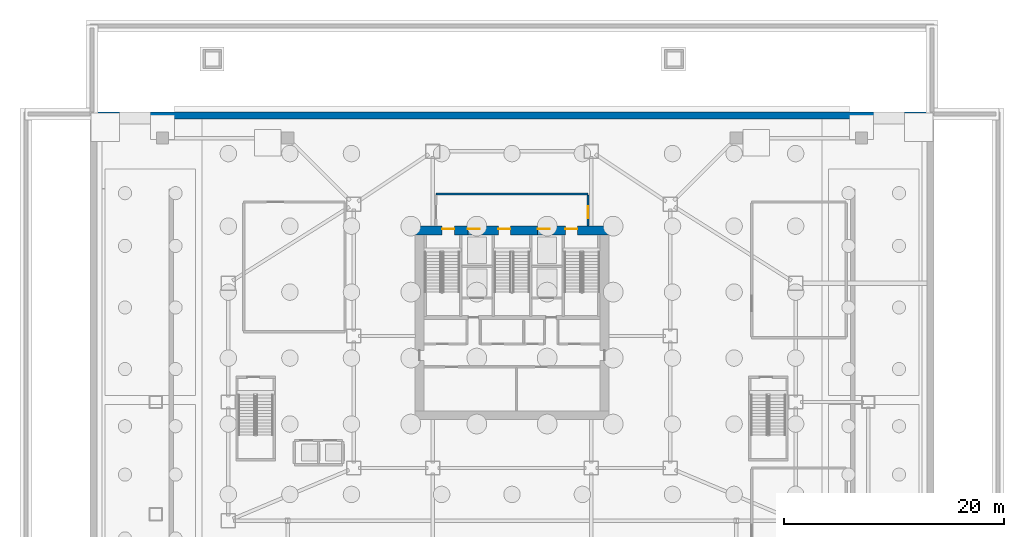
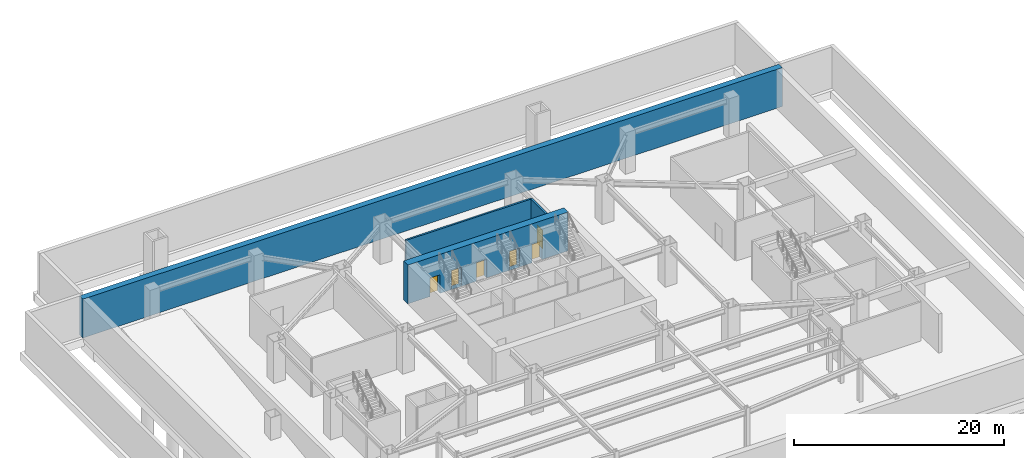
# One storey, part 9 of 15: 6 doors, 4 walls, 6 openings.
"""IFC4 building model written with IfcOpenShell, lengths in metres."""

from ifc_helpers import new_model, si_unit, direction, frame, frame_2d, origin, place, context, subcontext, project, spatial, rectangle, extrude, material, layer, layer_set, type_object, element, fill, save


model = new_model("IFC4")

# Units and contexts
model_context = context("Model", 3, precision=1e-05, world=origin(), true_north=direction((0.0, 1.0)))
body_context = subcontext(model_context, "Body", "Model", "MODEL_VIEW")
ifc_project = project(units=[si_unit("LENGTHUNIT", "METRE"), si_unit("AREAUNIT", "SQUARE_METRE"), si_unit("VOLUMEUNIT", "CUBIC_METRE"), si_unit("PLANEANGLEUNIT", "RADIAN"), si_unit("MASSUNIT", "GRAM", prefix="KILO")], contexts=[model_context])

# Site, building, storey
site_placement = place(None, origin())
site = spatial("IfcSite", under=ifc_project, at=site_placement, CompositionType="ELEMENT")
building_placement = place(site_placement, origin())
building = spatial("IfcBuilding", under=site, at=building_placement, Name="Haolan Belvedere Tower", CompositionType="ELEMENT")
storey_placement = place(building_placement, frame((0.0, 0.0, -9.60009765625)))
storey = spatial("IfcBuildingStorey", under=building, at=storey_placement, Name="B2", CompositionType="ELEMENT", Elevation=-9.60009765625)

# Wall, openings, doors
ifc_material_1 = material(Name="Concrete C70/85", Category="concrete")
ifc_layer_1 = layer(ifc_material_1, 0.800048828125, Name="Concrete C70/85")
ifc_layer_set_1 = layer_set([ifc_layer_1], Name="Concrete C70/85")
wall_type_1 = type_object("IfcWallType", Name="WL-CORE-800", PredefinedType="SHEAR", material=ifc_layer_set_1)
wall_1_placement = place(storey_placement, frame((29.60009765625, 43.199951171875, 0.0), z_axis=(0.0, 0.0, 1.0), x_axis=(1.0, 0.0, 0.0)))
wall_1 = element("IfcWall", 1, at=wall_1_placement, inside=storey, type_object=wall_type_1, Name="B2 central core north shear wall", PredefinedType="SHEAR", context=body_context, shape_type="SweptSolid", body=[
    extrude(rectangle(XDim=17.599853515625, YDim=0.800048828125, at=frame_2d((8.7998046875, 0.0))), origin(), (0.0, 0.0, 1.0), 4.52001953125),
])
opening_1_placement = place(wall_1_placement, frame((2.449951171875, 0.0, 0.0)))
opening_1 = element("IfcOpeningElement", 2, at=opening_1_placement, cuts=wall_1, Name="Opening FD-03", PredefinedType="OPENING", context=body_context, shape_type="SweptSolid", body=[
    extrude(rectangle(XDim=1.10009765625, YDim=2.14990234375, at=frame_2d((0.550048828125, 1.074951171875))), frame((0.0, 0.409912109375, 0.0), z_axis=(0.0, -1.0, 0.0), x_axis=(1.0, 0.0, 0.0)), (0.0, 0.0, 1.0), 0.820068359375),
])
opening_2_placement = place(wall_1_placement, frame((7.56005859375, 0.0, 0.0)))
opening_2 = element("IfcOpeningElement", 3, at=opening_2_placement, cuts=wall_1, Name="Opening FD-03", PredefinedType="OPENING", context=body_context, shape_type="SweptSolid", body=[
    extrude(rectangle(XDim=1.10009765625, YDim=2.14990234375, at=frame_2d((0.550048828125, 1.074951171875))), frame((0.0, 0.409912109375, 0.0), z_axis=(0.0, -1.0, 0.0), x_axis=(1.0, 0.0, 0.0)), (0.0, 0.0, 1.0), 0.820068359375),
])
opening_3_placement = place(wall_1_placement, frame((13.64990234375, 0.0, 0.0)))
opening_3 = element("IfcOpeningElement", 4, at=opening_3_placement, cuts=wall_1, Name="Opening FD-03", PredefinedType="OPENING", context=body_context, shape_type="SweptSolid", body=[
    extrude(rectangle(XDim=1.10009765625, YDim=2.14990234375, at=frame_2d((0.550048828125, 1.074951171875))), frame((0.0, 0.409912109375, 0.0), z_axis=(0.0, -1.0, 0.0), x_axis=(1.0, 0.0, 0.0)), (0.0, 0.0, 1.0), 0.820068359375),
])
opening_4_placement = place(wall_1_placement, frame((4.780029296875, 0.0, 0.0)))
opening_4 = element("IfcOpeningElement", 5, at=opening_4_placement, cuts=wall_1, Name="Opening LD-01", PredefinedType="OPENING", context=body_context, shape_type="SweptSolid", body=[
    extrude(rectangle(XDim=1.10009765625, YDim=2.199951171875, at=frame_2d((0.550048828125, 1.10009765625))), frame((0.0, 0.409912109375, 0.0), z_axis=(0.0, -1.0, 0.0), x_axis=(1.0, 0.0, 0.0)), (0.0, 0.0, 1.0), 0.820068359375),
])
opening_5_placement = place(wall_1_placement, frame((11.139892578125, 0.0, 0.0)))
opening_5 = element("IfcOpeningElement", 6, at=opening_5_placement, cuts=wall_1, Name="Opening LD-01", PredefinedType="OPENING", context=body_context, shape_type="SweptSolid", body=[
    extrude(rectangle(XDim=1.10009765625, YDim=2.199951171875, at=frame_2d((0.550048828125, 1.10009765625))), frame((0.0, 0.409912109375, 0.0), z_axis=(0.0, -1.0, 0.0), x_axis=(1.0, 0.0, 0.0)), (0.0, 0.0, 1.0), 0.820068359375),
])
ifc_material_2 = material(Name="Galvanised fire-rated steel", Category="steel")
door_type_1 = type_object("IfcDoorType", Name="DR-FD90-1100", OperationType="NOTDEFINED", PredefinedType="DOOR", material=ifc_material_2)
door_1_placement = place(opening_1_placement, origin())
door_1 = element("IfcDoor", 7, at=door_1_placement, inside=storey, type_object=door_type_1, Name="B2 door CD-B2-ST1", OperationType="SINGLE_SWING_LEFT", OverallHeight=2.14990234375, OverallWidth=1.10009765625, PredefinedType="DOOR", context=body_context, shape_type="SweptSolid", body=[
    extrude(rectangle(XDim=1.10009765625, YDim=2.14990234375, at=frame_2d((0.550048828125, 1.074951171875))), frame((0.0, 0.18505859375, 0.0), z_axis=(0.0, -1.0, 0.0), x_axis=(1.0, 0.0, 0.0)), (0.0, 0.0, 1.0), 0.050048828125),
])
fill(opening_1, door_1)
door_2_placement = place(opening_2_placement, origin())
door_2 = element("IfcDoor", 8, at=door_2_placement, inside=storey, type_object=door_type_1, Name="B2 door CD-B2-ST3", OperationType="SINGLE_SWING_LEFT", OverallHeight=2.14990234375, OverallWidth=1.10009765625, PredefinedType="DOOR", context=body_context, shape_type="SweptSolid", body=[
    extrude(rectangle(XDim=1.10009765625, YDim=2.14990234375, at=frame_2d((0.550048828125, 1.074951171875))), frame((0.0, 0.18505859375, 0.0), z_axis=(0.0, -1.0, 0.0), x_axis=(1.0, 0.0, 0.0)), (0.0, 0.0, 1.0), 0.050048828125),
])
fill(opening_2, door_2)
door_3_placement = place(opening_3_placement, origin())
door_3 = element("IfcDoor", 9, at=door_3_placement, inside=storey, type_object=door_type_1, Name="B2 door CD-B2-ST2", OperationType="SINGLE_SWING_RIGHT", OverallHeight=2.14990234375, OverallWidth=1.10009765625, PredefinedType="DOOR", context=body_context, shape_type="SweptSolid", body=[
    extrude(rectangle(XDim=1.10009765625, YDim=2.14990234375, at=frame_2d((0.550048828125, 1.074951171875))), frame((0.0, 0.18505859375, 0.0), z_axis=(0.0, -1.0, 0.0), x_axis=(1.0, 0.0, 0.0)), (0.0, 0.0, 1.0), 0.050048828125),
])
fill(opening_3, door_3)
ifc_material_3 = material(Name="Brushed champagne stainless steel 316L", Category="steel")
door_type_2 = type_object("IfcDoorType", Name="DR-LIFT-1100", OperationType="SLIDING_TO_LEFT", PredefinedType="DOOR", material=ifc_material_3)
door_4_placement = place(opening_4_placement, origin())
door_4 = element("IfcDoor", 10, at=door_4_placement, inside=storey, type_object=door_type_2, Name="B2 door LD-B2-FF1", OperationType="SLIDING_TO_LEFT", OverallHeight=2.199951171875, OverallWidth=1.10009765625, PredefinedType="DOOR", context=body_context, shape_type="SweptSolid", body=[
    extrude(rectangle(XDim=1.10009765625, YDim=2.199951171875, at=frame_2d((0.550048828125, 1.10009765625))), frame((0.0, 0.18505859375, 0.0), z_axis=(0.0, -1.0, 0.0), x_axis=(1.0, 0.0, 0.0)), (0.0, 0.0, 1.0), 0.050048828125),
])
fill(opening_4, door_4)
door_5_placement = place(opening_5_placement, origin())
door_5 = element("IfcDoor", 11, at=door_5_placement, inside=storey, type_object=door_type_2, Name="B2 door LD-B2-FF2", OperationType="SLIDING_TO_LEFT", OverallHeight=2.199951171875, OverallWidth=1.10009765625, PredefinedType="DOOR", context=body_context, shape_type="SweptSolid", body=[
    extrude(rectangle(XDim=1.10009765625, YDim=2.199951171875, at=frame_2d((0.550048828125, 1.10009765625))), frame((0.0, 0.18505859375, 0.0), z_axis=(0.0, -1.0, 0.0), x_axis=(1.0, 0.0, 0.0)), (0.0, 0.0, 1.0), 0.050048828125),
])
fill(opening_5, door_5)

# Wall
ifc_material_4 = material(Name="Concrete C40/50", Category="concrete")
ifc_layer_2 = layer(ifc_material_4, 0.199951171875, Name="Concrete C40/50")
ifc_layer_set_2 = layer_set([ifc_layer_2], Name="Concrete C40/50")
wall_type_2 = type_object("IfcWallType", Name="WL-FIRE-200", PredefinedType="SOLIDWALL", material=ifc_layer_set_2)
wall_2_placement = place(storey_placement, frame((31.5, 46.52001953125, 0.0), z_axis=(0.0, 0.0, 1.0), x_axis=(1.0, 0.0, 0.0)))
element("IfcWall", 12, at=wall_2_placement, inside=storey, type_object=wall_type_2, Name="B2 interior partition IW-B2-FFL-N", PredefinedType="SOLIDWALL", context=body_context, shape_type="SweptSolid", body=[
    extrude(rectangle(XDim=13.800048828125, YDim=0.199951171875, at=frame_2d((6.89990234375, 0.0))), origin(), (0.0, 0.0, 1.0), 4.52001953125),
])

# Wall, opening, door
wall_3_placement = place(storey_placement, frame((45.300048828125, 43.60009765625, 0.0), z_axis=(0.0, 0.0, 1.0), x_axis=(0.0, 1.0, 0.0)))
wall_3 = element("IfcWall", 13, at=wall_3_placement, inside=storey, type_object=wall_type_2, Name="B2 interior partition IW-B2-FFL-E", PredefinedType="SOLIDWALL", context=body_context, shape_type="SweptSolid", body=[
    extrude(rectangle(XDim=2.8349609375, YDim=0.199951171875, at=frame_2d((1.41748046875, 0.0))), origin(), (0.0, 0.0, 1.0), 4.52001953125),
])
opening_6_placement = place(wall_3_placement, frame((0.699951171875, 0.0, 0.0)))
opening_6 = element("IfcOpeningElement", 14, at=opening_6_placement, cuts=wall_3, Name="Opening FD-03", PredefinedType="OPENING", context=body_context, shape_type="SweptSolid", body=[
    extrude(rectangle(XDim=1.10009765625, YDim=2.14990234375, at=frame_2d((0.550048828125, 1.074951171875))), frame((0.0, 0.10986328125, 0.0), z_axis=(0.0, -1.0, 0.0), x_axis=(1.0, 0.0, 0.0)), (0.0, 0.0, 1.0), 0.219970703125),
])
door_6_placement = place(opening_6_placement, origin())
door_6 = element("IfcDoor", 15, at=door_6_placement, inside=storey, type_object=door_type_1, Name="B2 door ID-B2-FFL-DE", OperationType="SINGLE_SWING_RIGHT", OverallHeight=2.14990234375, OverallWidth=1.10009765625, PredefinedType="DOOR", context=body_context, shape_type="SweptSolid", body=[
    extrude(rectangle(XDim=1.10009765625, YDim=2.14990234375, at=frame_2d((0.550048828125, 1.074951171875))), frame((0.0, 0.02490234375, 0.0), z_axis=(0.0, -1.0, 0.0), x_axis=(1.0, 0.0, 0.0)), (0.0, 0.0, 1.0), 0.050048828125),
])
fill(opening_6, door_6)

# Wall
ifc_material_5 = material(Name="Concrete C50/60", Category="concrete")
ifc_layer_3 = layer(ifc_material_5, 0.64990234375, Name="Concrete C50/60")
ifc_layer_set_3 = layer_set([ifc_layer_3], Name="Concrete C50/60")
wall_type_3 = type_object("IfcWallType", Name="WL-RET-650", PredefinedType="USERDEFINED", material=ifc_layer_set_3)
wall_4_placement = place(storey_placement, frame((0.0, 53.675048828125, 0.0), z_axis=(0.0, 0.0, 1.0), x_axis=(1.0, 0.0, 0.0)))
element("IfcWall", 16, at=wall_4_placement, inside=storey, type_object=wall_type_3, Name="B2 perimeter retaining wall N", ObjectType="RETAINING", PredefinedType="USERDEFINED", context=body_context, shape_type="SweptSolid", body=[
    extrude(rectangle(XDim=76.800048828125, YDim=0.64990234375, at=frame_2d((38.39990234375, 0.0))), origin(), (0.0, 0.0, 1.0), 4.52001953125),
])

save(model, "model.ifc")
